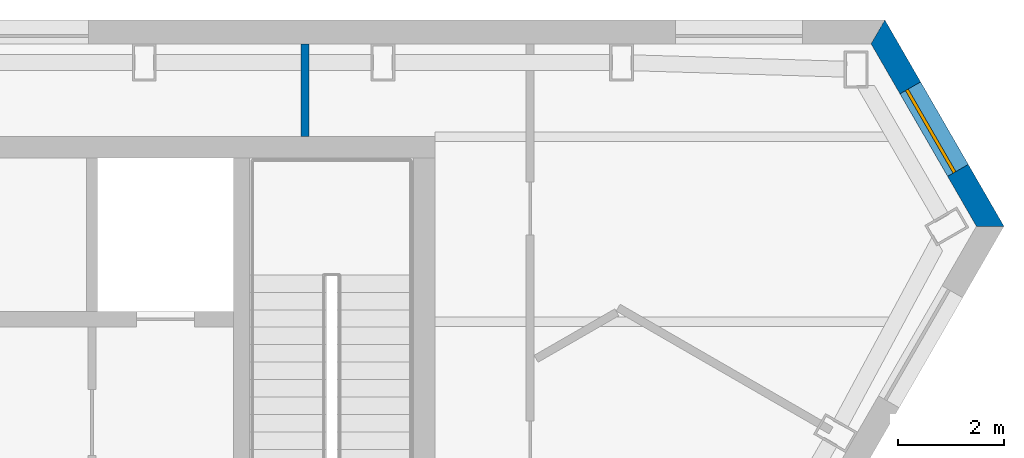
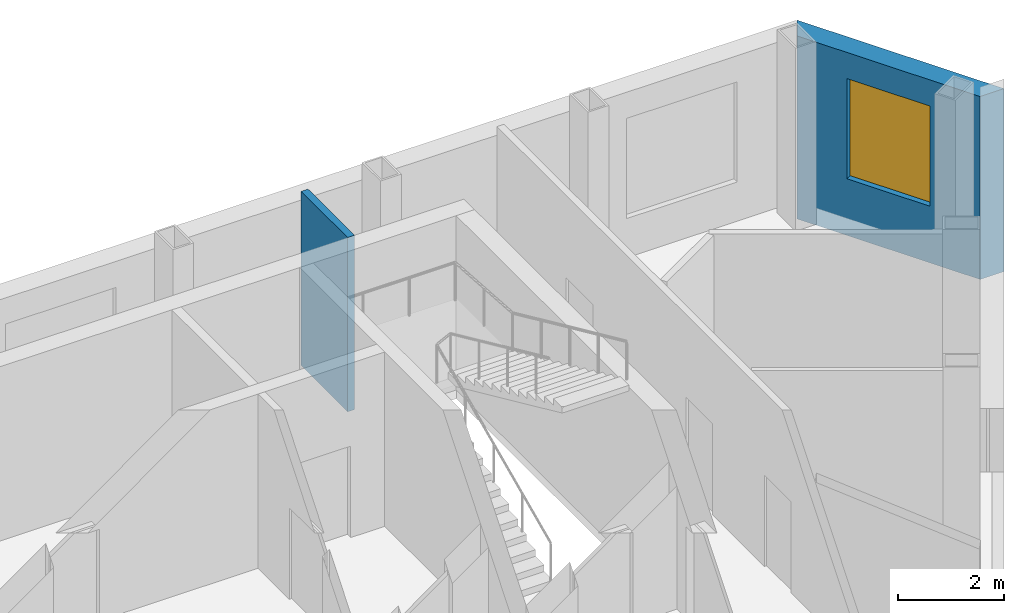
# One storey, part 8 of 11: 2 walls, 1 window, 1 opening.
"""IFC4 building model written with IfcOpenShell, lengths in metres."""

import ifcopenshell
import ifcopenshell.guid

model = None  # the IFC model being written
_history = None  # IfcOwnerHistory: only IFC2X3 demands one
_inside = {}  # id of a spatial element -> (the spatial element, [elements in it])
_under = {}  # id of a project, library or spatial element -> (it, [spatial elements below it])
_declared = {}  # id of a project -> (the project, [libraries it declares])
_typed = {}  # id of a type object -> (the type object, [elements of that type])
_made_of = {}  # id of a material, layer set ... -> (it, [elements and type objects made of it])


def new_model(schema):
    """Start an empty IFC model of exactly this schema.

    Asked for "IFC4X3", IfcOpenShell would pick the latest addendum, in which some entities
    have other attributes; the version numbers below select the first issue.
    IFC2X3 requires an IfcOwnerHistory on every rooted entity: one is made here for all.
    """
    global model, _history
    if schema == "IFC4X3":
        model = ifcopenshell.file(schema_version=(4, 3, 0, 0))
    else:
        model = ifcopenshell.file(schema=schema)
    _inside.clear()
    _under.clear()
    _declared.clear()
    _typed.clear()
    _made_of.clear()
    _history = None
    if model.schema == "IFC2X3":
        org = make("IfcOrganization", Name="unknown")
        user = make(
            "IfcPersonAndOrganization",
            ThePerson=make("IfcPerson", FamilyName="unknown"),
            TheOrganization=org,
        )
        app = make(
            "IfcApplication",
            ApplicationDeveloper=org,
            Version="unknown",
            ApplicationFullName="unknown",
            ApplicationIdentifier="unknown",
        )
        _history = make(
            "IfcOwnerHistory",
            OwningUser=user,
            OwningApplication=app,
            ChangeAction="ADDED",
            CreationDate=0,
        )
    return model


def make(cls, **values):
    """One entity of the class cls with the attributes given. An attribute that is None is left unset."""
    return model.create_entity(
        cls, **{name: value for name, value in values.items() if value is not None}
    )


def rooted(cls, **values):
    """An entity with a GlobalId (a new one), such as an element, a storey or a relation."""
    return make(cls, GlobalId=ifcopenshell.guid.new(), OwnerHistory=_history, **values)


def si_unit(unit_type, name, prefix=None):
    """IfcSIUnit, for example si_unit("LENGTHUNIT", "METRE", prefix="MILLI")."""
    return make("IfcSIUnit", UnitType=unit_type, Prefix=prefix, Name=name)


def assignment(units):
    """IfcUnitAssignment: the units of a project."""
    return None if units is None else make("IfcUnitAssignment", Units=units)


def point(xyz):
    """IfcCartesianPoint."""
    return None if xyz is None else make("IfcCartesianPoint", Coordinates=xyz)


def direction(xyz):
    """IfcDirection."""
    return None if xyz is None else make("IfcDirection", DirectionRatios=xyz)


def frame(location, z_axis=None, x_axis=None):
    """IfcAxis2Placement3D, a coordinate frame: its origin and axes. An axis left out is left unset."""
    return make(
        "IfcAxis2Placement3D",
        Location=point(location),
        Axis=direction(z_axis),
        RefDirection=direction(x_axis),
    )


def frame_2d(location, x_axis=None):
    """IfcAxis2Placement2D, a coordinate frame in the plane: its origin and x axis."""
    return make(
        "IfcAxis2Placement2D", Location=point(location), RefDirection=direction(x_axis)
    )


def origin():
    """The frame at (0, 0, 0) with its axes left unset."""
    return frame((0.0, 0.0, 0.0))


def place(relative_to, where):
    """IfcLocalPlacement: puts the frame where relative to a parent placement (None: the world)."""
    return make(
        "IfcLocalPlacement", PlacementRelTo=relative_to, RelativePlacement=where
    )


def context(
    kind, dimensions, precision=None, world=None, true_north=None, identifier=None
):
    """IfcGeometricRepresentationContext, for example the 3D "Model" context."""
    return make(
        "IfcGeometricRepresentationContext",
        ContextIdentifier=identifier,
        ContextType=kind,
        CoordinateSpaceDimension=dimensions,
        Precision=precision,
        WorldCoordinateSystem=world,
        TrueNorth=true_north,
    )


def subcontext(parent, identifier, kind, view, scale=None):
    """IfcGeometricRepresentationSubContext, for example "Body" below "Model"."""
    return make(
        "IfcGeometricRepresentationSubContext",
        ContextIdentifier=identifier,
        ContextType=kind,
        ParentContext=parent,
        TargetScale=scale,
        TargetView=view,
    )


def project(units=None, contexts=None):
    """IfcProject with its units and contexts."""
    return rooted(
        "IfcProject",
        Name="project",
        RepresentationContexts=contexts,
        UnitsInContext=assignment(units),
    )


def spatial(cls, under=None, at=None, **own):
    """A site, building, storey or space (cls), placed at a placement, below another one or the project."""
    s = rooted(cls, ObjectPlacement=at, **own)
    if under is not None:
        _under.setdefault(under.id(), (under, []))[1].append(s)
    return s


def polyline(points):
    """IfcPolyline through the points."""
    return make("IfcPolyline", Points=[point(p) for p in points])


def profile(cls, at=None, kind="AREA", **sizes):
    """A parametric profile (cls). Its sizes go by their IFC names, for example OverallWidth=200.0."""
    return make(cls, ProfileType=kind, Position=at, **sizes)


def rectangle(**sizes):
    """IfcRectangleProfileDef."""
    return profile("IfcRectangleProfileDef", **sizes)


def outline(outer, holes=None, kind="AREA"):
    """IfcArbitraryClosedProfileDef: a profile drawn as a closed curve; with holes, ...WithVoids."""
    if holes is None:
        return make("IfcArbitraryClosedProfileDef", ProfileType=kind, OuterCurve=outer)
    return make(
        "IfcArbitraryProfileDefWithVoids",
        ProfileType=kind,
        OuterCurve=outer,
        InnerCurves=holes,
    )


def extrude(swept, where, along, depth):
    """IfcExtrudedAreaSolid: the profile swept, set in the frame where, extruded along a direction by depth."""
    return make(
        "IfcExtrudedAreaSolid",
        SweptArea=swept,
        Position=where,
        ExtrudedDirection=direction(along),
        Depth=depth,
    )


def shape(context_of_items, identifier, shape_type, items):
    """IfcShapeRepresentation: the items that make up one representation, for example the "Body"."""
    return make(
        "IfcShapeRepresentation",
        ContextOfItems=context_of_items,
        RepresentationIdentifier=identifier,
        RepresentationType=shape_type,
        Items=items,
    )


def material(Name=None, Category=None):
    """IfcMaterial."""
    return make("IfcMaterial", Name=Name, Category=Category)


def layer(
    of_material, thickness, ventilated=None, Name=None, Category=None, Priority=None
):
    """IfcMaterialLayer: one layer of a wall or slab, of a material (None: an air gap)."""
    return make(
        "IfcMaterialLayer",
        Material=of_material,
        LayerThickness=thickness,
        IsVentilated=ventilated,
        Name=Name,
        Category=Category,
        Priority=Priority,
    )


def layer_set(layers, Name=None):
    """IfcMaterialLayerSet."""
    return make("IfcMaterialLayerSet", MaterialLayers=layers, LayerSetName=Name)


def made_of(thing, what):
    """Note that an element or type object is made of a material, layer set ...; save() writes the relation."""
    if what is not None:
        _made_of.setdefault(what.id(), (what, []))[1].append(thing)
    return thing


def type_object(cls, material=None, **own):
    """A type object (cls), such as IfcWallType, which elements share."""
    return made_of(rooted(cls, **own), material)


def element(
    cls,
    number,
    at=None,
    inside=None,
    cuts=None,
    type_object=None,
    material=None,
    context=None,
    identifier="Body",
    shape_type=None,
    held_by="IfcProductDefinitionShape",
    body=None,
    shapes=None,
    **own,
):
    """One element of the class cls, such as IfcWall. Its Tag is "e" and its number.

    at: its placement. inside: the storey or other place that contains it. cuts: it is an
    opening in that element (IfcRelVoidsElement). A single representation is given by context,
    identifier, shape_type and body (its items); several are given by shapes. held_by: the class
    of the entity that holds the representations. save() writes the other relations.
    """
    e = rooted(cls, Tag="e%d" % number, ObjectPlacement=at, **own)
    if body is not None:
        shapes = [shape(context, identifier, shape_type, body)]
    if shapes is not None:
        e.Representation = make(held_by, Representations=shapes)
    if inside is not None:
        _inside.setdefault(inside.id(), (inside, []))[1].append(e)
    if cuts is not None:
        rooted(
            "IfcRelVoidsElement", RelatingBuildingElement=cuts, RelatedOpeningElement=e
        )
    if type_object is not None:
        _typed.setdefault(type_object.id(), (type_object, []))[1].append(e)
    return made_of(e, material)


def fill(opening, filler):
    """IfcRelFillsElement: the door or window that sits in an opening."""
    return rooted(
        "IfcRelFillsElement",
        RelatingOpeningElement=opening,
        RelatedBuildingElement=filler,
    )


def aggregate(whole, parts):
    """IfcRelAggregates: a whole, such as a stair, and the parts it consists of."""
    return rooted("IfcRelAggregates", RelatingObject=whole, RelatedObjects=parts)


def save(model, path):
    """Write the relations noted so far, then the file.

    IfcRelAggregates (storeys below a building ...), IfcRelContainedInSpatialStructure (elements
    in a storey), IfcRelDefinesByType, IfcRelAssociatesMaterial and IfcRelDeclares: one each for
    every whole, place, type object, material and project.
    """
    for whole, parts in _under.values():
        aggregate(whole, parts)
    for where, things in _inside.values():
        rooted(
            "IfcRelContainedInSpatialStructure",
            RelatedElements=things,
            RelatingStructure=where,
        )
    for kind, things in _typed.values():
        rooted("IfcRelDefinesByType", RelatedObjects=things, RelatingType=kind)
    for what, things in _made_of.values():
        rooted("IfcRelAssociatesMaterial", RelatedObjects=things, RelatingMaterial=what)
    for by, libraries in _declared.values():
        rooted("IfcRelDeclares", RelatingContext=by, RelatedDefinitions=libraries)
    model.write(path)


model = new_model("IFC4")

# Units and contexts
model_context = context("Model", 3, precision=1e-05, world=origin(), true_north=direction((0.0, 1.0)))
body_context = subcontext(model_context, "Body", "Model", "MODEL_VIEW")
ifc_project = project(units=[si_unit("LENGTHUNIT", "METRE"), si_unit("AREAUNIT", "SQUARE_METRE"), si_unit("VOLUMEUNIT", "CUBIC_METRE"), si_unit("PLANEANGLEUNIT", "RADIAN"), si_unit("MASSUNIT", "GRAM", prefix="KILO")], contexts=[model_context])

# Site, building, storey
site_placement = place(None, origin())
site = spatial("IfcSite", under=ifc_project, at=site_placement, CompositionType="ELEMENT")
building_placement = place(site_placement, origin())
building = spatial("IfcBuilding", under=site, at=building_placement, Name="Njiva Tower", CompositionType="ELEMENT")
storey_placement = place(building_placement, frame((0.0, 0.0, 316.8)))
storey = spatial("IfcBuildingStorey", under=building, at=storey_placement, Name="L72", CompositionType="ELEMENT", Elevation=316.8)

# Wall
ifc_material_1 = material(Name="Gypsum board on steel studs", Category="gypsum")
ifc_layer_1 = layer(ifc_material_1, 0.15)
ifc_layer_set_1 = layer_set([ifc_layer_1], Name="Gypsum board on steel studs")
wall_type_1 = type_object("IfcWallType", Name="WT21 Compartment wall 150", PredefinedType="PARTITIONING", material=ifc_layer_set_1)
wall_1_placement = place(storey_placement, frame((12.05, 18.0, 0.0), z_axis=(0.0, 0.0, 1.0), x_axis=(0.0, 1.0, 0.0)))
element("IfcWall", 1, at=wall_1_placement, inside=storey, type_object=wall_type_1, Name="Partition S24-P025", PredefinedType="PARTITIONING", context=body_context, shape_type="SweptSolid", body=[
    extrude(rectangle(XDim=1.75, YDim=0.15, at=frame_2d((0.875, 0.0))), origin(), (0.0, 0.0, 1.0), 4.0),
])

# Wall, opening, window
ifc_material_2 = material(Name="Brick masonry, buff", Category="masonry")
ifc_layer_2 = layer(ifc_material_2, 0.45)
ifc_layer_set_2 = layer_set([ifc_layer_2], Name="Brick masonry, buff")
wall_type_2 = type_object("IfcWallType", Name="WT94 Brick pier and spandrel wall 450, buff", PredefinedType="SOLIDWALL", material=ifc_layer_set_2)
wall_2_placement = place(storey_placement, frame((24.9889, 16.3051, -0.4), z_axis=(0.0, 0.0, 1.0), x_axis=(-0.500002136082, 0.866024170514, 0.0)))
wall_2 = element("IfcWall", 2, at=wall_2_placement, inside=storey, type_object=wall_type_2, Name="Facade wall NE", PredefinedType="SOLIDWALL", context=body_context, shape_type="SweptSolid", body=[
    extrude(outline(polyline([(-0.1299, -0.225), (4.3701, -0.225), (4.1103, 0.225), (0.1299, 0.225), (-0.1299, -0.225)])), origin(), (0.0, 0.0, 1.0), 4.2),
])
opening_placement = place(wall_2_placement, frame((1.2201, 0.0, 1.3)))
opening = element("IfcOpeningElement", 3, at=opening_placement, cuts=wall_2, Name="Opening S24-W27", PredefinedType="OPENING", context=body_context, shape_type="SweptSolid", body=[
    extrude(rectangle(XDim=1.8, YDim=2.3, at=frame_2d((0.9, 1.15))), frame((0.0, 0.235, 0.0), z_axis=(0.0, -1.0, 0.0), x_axis=(1.0, 0.0, 0.0)), (0.0, 0.0, 1.0), 0.47),
])
ifc_material_3 = material(Name="Clear glazing in aluminium frame", Category="aluminium")
window_type = type_object("IfcWindowType", Name="W95 Deep-set window 1800x2300", PartitioningType="SINGLE_PANEL", PredefinedType="WINDOW", material=ifc_material_3)
window_placement = place(opening_placement, origin())
window = element("IfcWindow", 4, at=window_placement, inside=storey, type_object=window_type, Name="Window", OverallHeight=2.3, OverallWidth=1.8, PartitioningType="SINGLE_PANEL", PredefinedType="WINDOW", context=body_context, shape_type="SweptSolid", body=[
    extrude(rectangle(XDim=1.8, YDim=2.3, at=frame_2d((0.9, 1.15))), frame((0.0, 0.105, 0.0), z_axis=(0.0, -1.0, 0.0), x_axis=(1.0, 0.0, 0.0)), (0.0, 0.0, 1.0), 0.06),
])
fill(opening, window)

save(model, "model.ifc")
